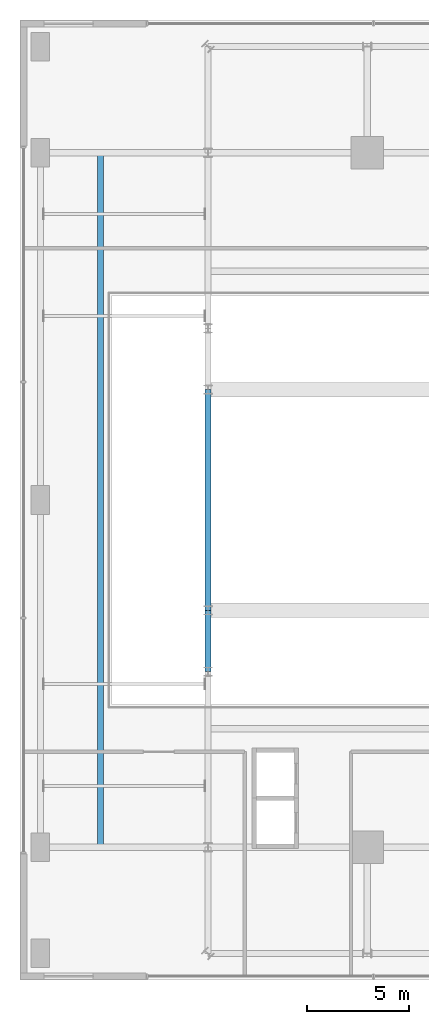
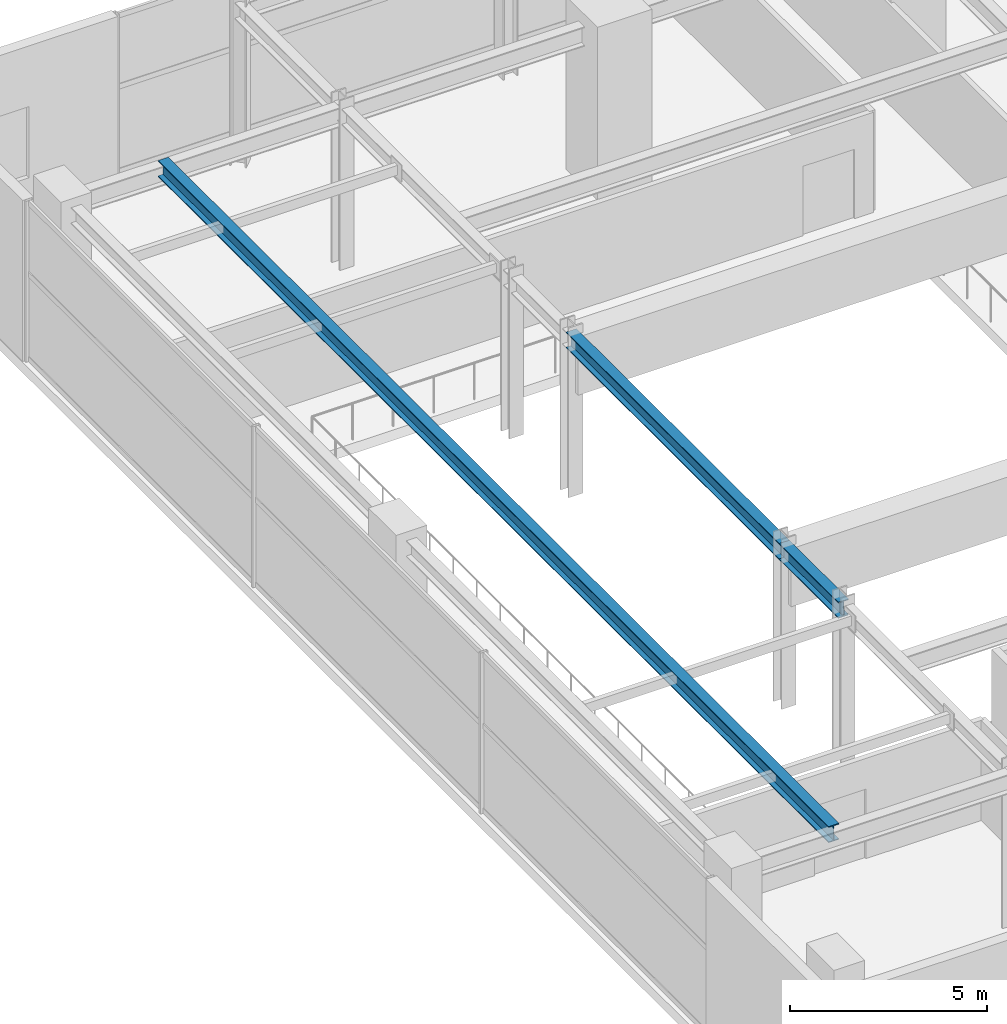
# One storey, part 9 of 35: 3 beams.
"""IFC4 building model written with IfcOpenShell, lengths in metres."""

from ifc_helpers import new_model, si_unit, direction, frame, origin, origin_2d, place, context, subcontext, project, spatial, i_section, extrude, source, transform, mapped, material, material_profile, profile_set, type_object, element, save


model = new_model("IFC4")

# Units and contexts
model_context = context("Model", 3, precision=1e-05, world=origin(), true_north=direction((0.0, 1.0)))
body_context = subcontext(model_context, "Body", "Model", "MODEL_VIEW")
ifc_project = project(units=[si_unit("LENGTHUNIT", "METRE"), si_unit("AREAUNIT", "SQUARE_METRE"), si_unit("VOLUMEUNIT", "CUBIC_METRE"), si_unit("PLANEANGLEUNIT", "RADIAN"), si_unit("MASSUNIT", "GRAM", prefix="KILO")], contexts=[model_context])

# Site, building, storey
site_placement = place(None, origin())
site = spatial("IfcSite", under=ifc_project, at=site_placement, CompositionType="ELEMENT")
building_placement = place(site_placement, origin())
building = spatial("IfcBuilding", under=site, at=building_placement, Name="Nahalor Promenade Grand Hotel", CompositionType="ELEMENT")
storey_placement = place(building_placement, frame((0.0, 0.0, 21.60009765625)))
storey = spatial("IfcBuildingStorey", under=building, at=storey_placement, Name="L04", CompositionType="ELEMENT", Elevation=21.60009765625)

# Beams
ifc_material = material(Name="Steel S355JR", Category="steel")
ifc_material_profile = material_profile(ifc_material, i_section(OverallWidth=0.3, OverallDepth=0.5, WebThickness=0.0145, FlangeThickness=0.028, at=origin_2d()), Name="HEB 500")
ifc_profile_set = profile_set([ifc_material_profile], Name="Steel S355JR")
beam_type = type_object("IfcBeamType", Name="Beam-Spandrel-HEB500", PredefinedType="SPANDREL", material=ifc_profile_set)
shared_shape_1 = source(origin(), body_context, "Body", "SweptSolid", [
    extrude(i_section(OverallWidth=0.3, OverallDepth=0.5, WebThickness=0.0145, FlangeThickness=0.028, at=origin_2d()), origin(), (0.0, 0.0, 1.0), 3.0),
])
beam_1_placement = place(storey_placement, frame((-24.800048828125, -8.39990234375, 4.72998046875), z_axis=(0.0, 1.0, 0.0), x_axis=(-1.0, 0.0, 0.0)))
element("IfcBeam", 1, at=beam_1_placement, inside=storey, type_object=beam_type, Name="BM-L04-SP-W-1", PredefinedType="SPANDREL", context=body_context, shape_type="MappedRepresentation", body=[
    mapped(shared_shape_1, transform((0.0, 0.0, 0.0), scale=1.0)),
])
shared_shape_2 = source(origin(), body_context, "Body", "SweptSolid", [
    extrude(i_section(OverallWidth=0.3, OverallDepth=0.5, WebThickness=0.0145, FlangeThickness=0.028, at=origin_2d()), origin(), (0.0, 0.0, 1.0), 10.7998046875),
])
beam_2_placement = place(storey_placement, frame((-24.800048828125, -5.39990234375, 4.72998046875), z_axis=(0.0, 1.0, 0.0), x_axis=(-1.0, 0.0, 0.0)))
element("IfcBeam", 2, at=beam_2_placement, inside=storey, type_object=beam_type, Name="BM-L04-SP-W-2", PredefinedType="SPANDREL", context=body_context, shape_type="MappedRepresentation", body=[
    mapped(shared_shape_2, transform((0.0, 0.0, 0.0), scale=1.0)),
])
shared_shape_3 = source(origin(), body_context, "Body", "SweptSolid", [
    extrude(i_section(OverallWidth=0.3, OverallDepth=0.5, WebThickness=0.0145, FlangeThickness=0.028, at=origin_2d()), origin(), (0.0, 0.0, 1.0), 34.0),
])
beam_3_placement = place(storey_placement, frame((-30.050048828125, -17.0, 4.83984375), z_axis=(0.0, 1.0, 0.0), x_axis=(-1.0, 0.0, 0.0)))
element("IfcBeam", 3, at=beam_3_placement, inside=storey, type_object=beam_type, Name="BM-L04-TERR-E", PredefinedType="SPANDREL", context=body_context, shape_type="MappedRepresentation", body=[
    mapped(shared_shape_3, transform((0.0, 0.0, 0.0), scale=1.0)),
])

save(model, "model.ifc")
